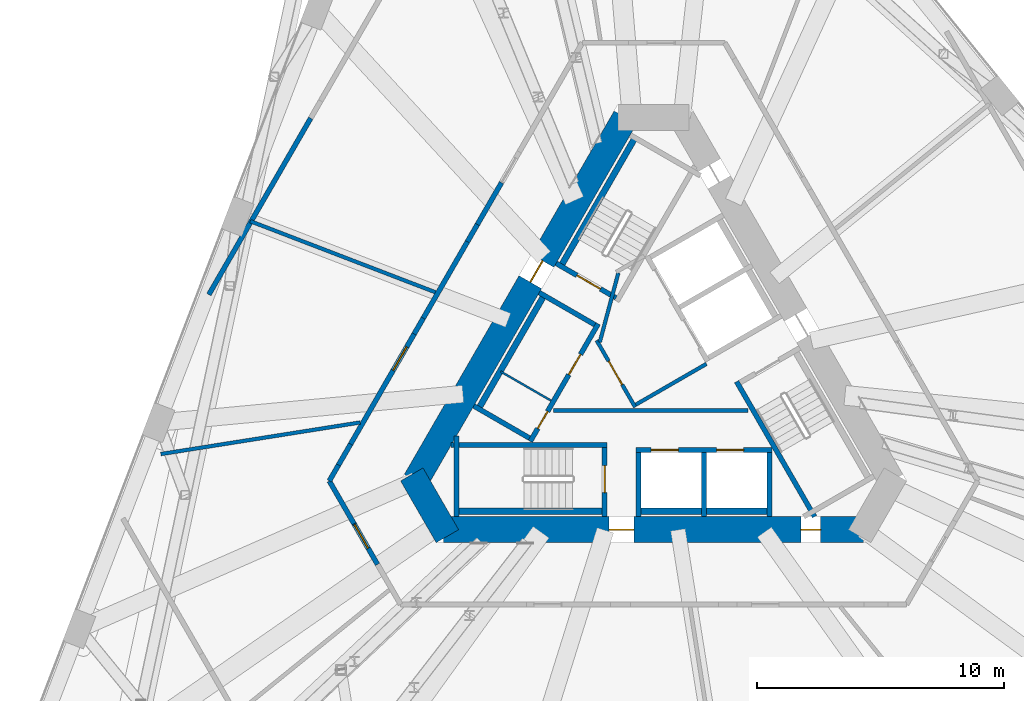
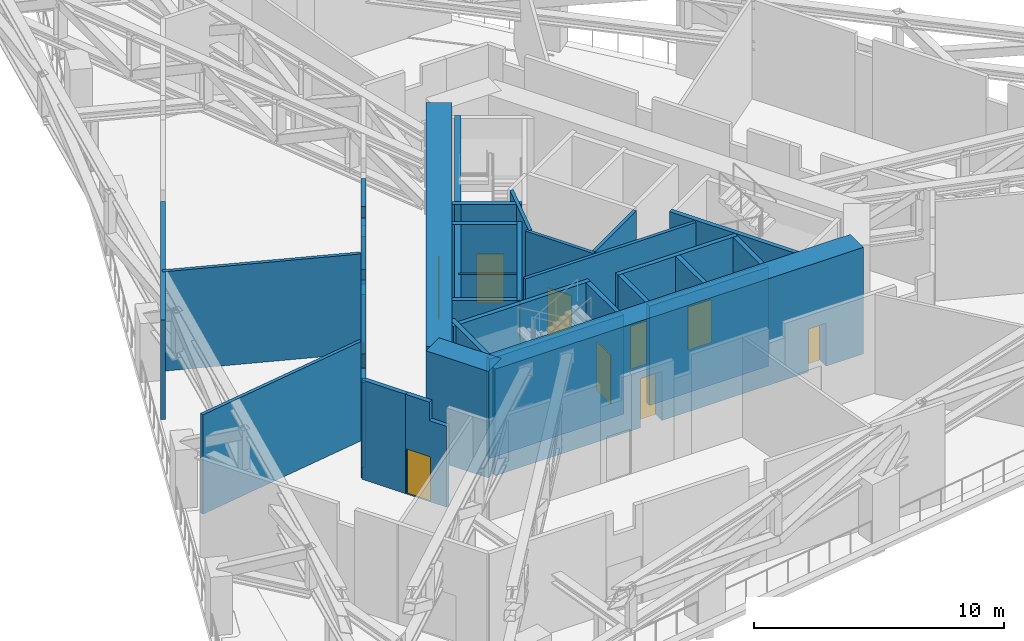
# One storey, part 11 of 20: 36 walls, 12 doors, 12 openings.
"""IFC4 building model written with IfcOpenShell, lengths in metres."""

from ifc_helpers import new_model, si_unit, direction, frame, frame_2d, origin, place, context, subcontext, project, spatial, polyline, rectangle, outline, extrude, material, layer, layer_set, type_object, element, fill, save


model = new_model("IFC4")

# Units and contexts
model_context = context("Model", 3, precision=1e-05, world=origin(), true_north=direction((0.0, 1.0)))
body_context = subcontext(model_context, "Body", "Model", "MODEL_VIEW")
ifc_project = project(units=[si_unit("LENGTHUNIT", "METRE"), si_unit("AREAUNIT", "SQUARE_METRE"), si_unit("VOLUMEUNIT", "CUBIC_METRE"), si_unit("PLANEANGLEUNIT", "RADIAN"), si_unit("MASSUNIT", "GRAM", prefix="KILO")], contexts=[model_context])

# Site, building, storey
site_placement = place(None, origin())
site = spatial("IfcSite", under=ifc_project, at=site_placement, CompositionType="ELEMENT")
building_placement = place(site_placement, origin())
building = spatial("IfcBuilding", under=site, at=building_placement, Name="Tramontana Tower", CompositionType="ELEMENT")
storey_placement = place(building_placement, frame((0.0, 0.0, 83.199951171875)))
storey = spatial("IfcBuildingStorey", under=building, at=storey_placement, Name="L18", CompositionType="ELEMENT", Elevation=83.199951171875)

# Wall, opening, door
ifc_material_1 = material(Name="Concrete 70 MPa", Category="concrete")
ifc_layer_1 = layer(ifc_material_1, 1.050048828125)
ifc_layer_set_1 = layer_set([ifc_layer_1], Name="Core wall 1050 70 MPa")
wall_type_1 = type_object("IfcWallType", Name="Core wall 1050 70 MPa", PredefinedType="SHEAR", material=ifc_layer_set_1)
wall_1_placement = place(storey_placement, frame((-1.140380859375, 10.47509765625, 0.0), z_axis=(0.0, 0.0, 1.0), x_axis=(-0.499985955615, -0.866033512162, 0.0)))
wall_1 = element("IfcWall", 1, at=wall_1_placement, inside=storey, type_object=wall_type_1, Name="Core wall C1 L18", PredefinedType="SHEAR", context=body_context, shape_type="SweptSolid", body=[
    extrude(rectangle(XDim=17.0029296875, YDim=1.050048828125, at=frame_2d((8.50146484375, 0.0))), origin(), (0.0, 0.0, 1.0), 5.199951171875),
])
opening_1_placement = place(wall_1_placement, frame((6.70654296875, 0.0, 0.0)))
opening_1 = element("IfcOpeningElement", 2, at=opening_1_placement, cuts=wall_1, Name="Opening RG1", PredefinedType="OPENING", context=body_context, shape_type="SweptSolid", body=[
    extrude(rectangle(XDim=1.0, YDim=2.39990234375, at=frame_2d((0.5, 1.199951171875))), frame((0.0, 0.534912109375, 0.0), z_axis=(0.0, -1.0, 0.0), x_axis=(1.0, 0.0, 0.0)), (0.0, 0.0, 1.0), 1.070068359375),
])
ifc_material_2 = material(Name="Painted steel", Category="steel")
door_type_1 = type_object("IfcDoorType", Name="RING DOOR 1000", OperationType="SINGLE_SWING_LEFT", PredefinedType="DOOR", material=ifc_material_2)
door_1_placement = place(opening_1_placement, origin())
door_1 = element("IfcDoor", 3, at=door_1_placement, inside=storey, type_object=door_type_1, Name="Door RG1", OperationType="SINGLE_SWING_RIGHT", OverallHeight=2.39990234375, OverallWidth=1.0, PredefinedType="DOOR", context=body_context, shape_type="SweptSolid", body=[
    extrude(rectangle(XDim=1.0, YDim=2.39990234375, at=frame_2d((0.5, 1.199951171875))), frame((0.0, 0.02490234375, 0.0), z_axis=(0.0, -1.0, 0.0), x_axis=(1.0, 0.0, 0.0)), (0.0, 0.0, 1.0), 0.050048828125),
])
fill(opening_1, door_1)

# Wall
wall_2_placement = place(storey_placement, frame((-9.793212890625, -3.987548828125, 0.0), z_axis=(0.0, 0.0, 1.0), x_axis=(0.499995765644, -0.866027848477, 0.0)))
element("IfcWall", 4, at=wall_2_placement, inside=storey, type_object=wall_type_1, Name="Core wall C2 L18", PredefinedType="SHEAR", context=body_context, shape_type="SweptSolid", body=[
    extrude(rectangle(XDim=2.88671875, YDim=1.050048828125, at=frame_2d((1.443359375, 0.0))), origin(), (0.0, 0.0, 1.0), 5.199951171875),
])

# Wall, openings, doors
wall_3_placement = place(storey_placement, frame((-8.50146484375, -6.22509765625, 0.0), z_axis=(0.0, 0.0, 1.0), x_axis=(1.0, 0.0, 0.0)))
wall_3 = element("IfcWall", 5, at=wall_3_placement, inside=storey, type_object=wall_type_1, Name="Core wall C3 L18", PredefinedType="SHEAR", context=body_context, shape_type="SweptSolid", body=[
    extrude(rectangle(XDim=17.0029296875, YDim=1.050048828125, at=frame_2d((8.50146484375, 0.0))), origin(), (0.0, 0.0, 1.0), 5.199951171875),
])
opening_2_placement = place(wall_3_placement, frame((6.70654296875, 0.0, 0.0)))
opening_2 = element("IfcOpeningElement", 6, at=opening_2_placement, cuts=wall_3, Name="Opening RG2", PredefinedType="OPENING", context=body_context, shape_type="SweptSolid", body=[
    extrude(rectangle(XDim=1.0, YDim=2.39990234375, at=frame_2d((0.5, 1.199951171875))), frame((0.0, 0.534912109375, 0.0), z_axis=(0.0, -1.0, 0.0), x_axis=(1.0, 0.0, 0.0)), (0.0, 0.0, 1.0), 1.070068359375),
])
opening_3_placement = place(wall_3_placement, frame((14.472412109375, 0.0, 0.0)))
opening_3 = element("IfcOpeningElement", 7, at=opening_3_placement, cuts=wall_3, Name="Opening PD2", PredefinedType="OPENING", context=body_context, shape_type="SweptSolid", body=[
    extrude(rectangle(XDim=0.800048828125, YDim=2.10009765625, at=frame_2d((0.39990234375, 1.050048828125))), frame((0.0, 0.534912109375, 0.0), z_axis=(0.0, -1.0, 0.0), x_axis=(1.0, 0.0, 0.0)), (0.0, 0.0, 1.0), 1.070068359375),
])
ifc_material_3 = material(Name="Painted steel", Category="steel")
door_type_2 = type_object("IfcDoorType", Name="CUPBOARD DOOR 800", OperationType="SINGLE_SWING_LEFT", PredefinedType="DOOR", material=ifc_material_3)
door_2_placement = place(opening_3_placement, origin())
door_2 = element("IfcDoor", 8, at=door_2_placement, inside=storey, type_object=door_type_2, Name="Door PD2", OperationType="SINGLE_SWING_LEFT", OverallHeight=2.10009765625, OverallWidth=0.800048828125, PredefinedType="DOOR", context=body_context, shape_type="SweptSolid", body=[
    extrude(rectangle(XDim=0.800048828125, YDim=2.10009765625, at=frame_2d((0.39990234375, 1.050048828125))), frame((0.0, 0.02490234375, 0.0), z_axis=(0.0, -1.0, 0.0), x_axis=(1.0, 0.0, 0.0)), (0.0, 0.0, 1.0), 0.050048828125),
])
fill(opening_3, door_2)
door_3_placement = place(opening_2_placement, origin())
door_3 = element("IfcDoor", 9, at=door_3_placement, inside=storey, type_object=door_type_1, Name="Door RG2", OperationType="SINGLE_SWING_LEFT", OverallHeight=2.39990234375, OverallWidth=1.0, PredefinedType="DOOR", context=body_context, shape_type="SweptSolid", body=[
    extrude(rectangle(XDim=1.0, YDim=2.39990234375, at=frame_2d((0.5, 1.199951171875))), frame((0.0, 0.02490234375, 0.0), z_axis=(0.0, -1.0, 0.0), x_axis=(1.0, 0.0, 0.0)), (0.0, 0.0, 1.0), 0.050048828125),
])
fill(opening_2, door_3)

# Wall
ifc_material_4 = material(Name="Blockwork", Category="masonry")
ifc_layer_2 = layer(ifc_material_4, 0.199951171875)
ifc_layer_set_2 = layer_set([ifc_layer_2], Name="ENCLOSURE WALL 200")
wall_type_2 = type_object("IfcWallType", Name="ENCLOSURE WALL 200", PredefinedType="SOLIDWALL", material=ifc_layer_set_2)
wall_4_placement = place(storey_placement, frame((-18.014892578125, 3.29736328125, 0.0), z_axis=(0.0, 0.0, 1.0), x_axis=(0.500010949126, 0.866019082211, 0.0)))
element("IfcWall", 10, at=wall_4_placement, inside=storey, type_object=wall_type_2, Name="Wall enc4-0", PredefinedType="SOLIDWALL", context=body_context, shape_type="SweptSolid", body=[
    extrude(rectangle(XDim=8.253173828125, YDim=0.199951171875, at=frame_2d((4.12646484375, 0.0))), origin(), (0.0, 0.0, 1.0), 4.85009765625),
])

# Wall, opening, door
ifc_material_5 = material(Name="Blockwork", Category="masonry")
ifc_layer_3 = layer(ifc_material_5, 0.199951171875)
ifc_layer_set_3 = layer_set([ifc_layer_3], Name="ENTRY WALL 200")
wall_type_3 = type_object("IfcWallType", Name="ENTRY WALL 200", PredefinedType="SOLIDWALL", material=ifc_layer_set_3)
wall_5_placement = place(storey_placement, frame((-11.181884765625, -7.63232421875, 0.0), z_axis=(0.0, 0.0, 1.0), x_axis=(-0.499999897272, 0.866025463095, 0.0)))
wall_5 = element("IfcWall", 11, at=wall_5_placement, inside=storey, type_object=wall_type_3, Name="Wall ew3-1", PredefinedType="SOLIDWALL", context=body_context, shape_type="SweptSolid", body=[
    extrude(outline(polyline([(0.0, 0.0), (1.904296875, 0.0), (1.904541015625, 4.85009765625), (0.80078125, 4.85009765625), (0.80078125, 3.949951171875), (0.0, 3.949951171875), (0.0, 0.0)])), frame((0.0, 0.10009765625, 0.0), z_axis=(0.0, -1.0, 0.0), x_axis=(1.0, 0.0, 0.0)), (0.0, 0.0, 1.0), 0.199951171875),
])
opening_4_placement = place(wall_5_placement, frame((0.75439453125, 0.0, 0.0)))
opening_4 = element("IfcOpeningElement", 12, at=opening_4_placement, cuts=wall_5, Name="Opening L18-03", PredefinedType="OPENING", context=body_context, shape_type="SweptSolid", body=[
    extrude(rectangle(XDim=1.10009765625, YDim=2.199951171875, at=frame_2d((0.550048828125, 1.10009765625))), frame((0.0, 0.10986328125, 0.0), z_axis=(0.0, -1.0, 0.0), x_axis=(1.0, 0.0, 0.0)), (0.0, 0.0, 1.0), 0.219970703125),
])
ifc_material_6 = material(Name="Painted steel", Category="steel")
door_type_3 = type_object("IfcDoorType", Name="PLANT DOOR 1100", OperationType="SINGLE_SWING_LEFT", PredefinedType="DOOR", material=ifc_material_6)
door_4_placement = place(opening_4_placement, origin())
door_4 = element("IfcDoor", 13, at=door_4_placement, inside=storey, type_object=door_type_3, Name="Door L18-03", OperationType="SINGLE_SWING_LEFT", OverallHeight=2.199951171875, OverallWidth=1.10009765625, PredefinedType="DOOR", context=body_context, shape_type="SweptSolid", body=[
    extrude(rectangle(XDim=1.10009765625, YDim=2.199951171875, at=frame_2d((0.550048828125, 1.10009765625))), frame((0.0, 0.02490234375, 0.0), z_axis=(0.0, -1.0, 0.0), x_axis=(1.0, 0.0, 0.0)), (0.0, 0.0, 1.0), 0.050048828125),
])
fill(opening_4, door_4)

# Walls
wall_6_placement = place(storey_placement, frame((-12.134033203125, -5.983154296875, 0.0), z_axis=(0.0, 0.0, 1.0), x_axis=(-0.500035721725, 0.866004778855, 0.0)))
element("IfcWall", 14, at=wall_6_placement, inside=storey, type_object=wall_type_3, Name="Wall ew3-2", PredefinedType="SOLIDWALL", context=body_context, shape_type="SweptSolid", body=[
    extrude(rectangle(XDim=2.001220703125, YDim=0.199951171875, at=frame_2d((1.00048828125, 0.0))), origin(), (0.0, 0.0, 1.0), 4.85009765625),
])
wall_7_placement = place(storey_placement, frame((-13.134765625, -4.25, 0.0), z_axis=(0.0, 0.0, 1.0), x_axis=(0.499987686533, 0.866032512851, 0.0)))
element("IfcWall", 15, at=wall_7_placement, inside=storey, type_object=wall_type_3, Name="Wall ew4-0", PredefinedType="SOLIDWALL", context=body_context, shape_type="SweptSolid", body=[
    extrude(rectangle(XDim=0.74365234375, YDim=0.199951171875, at=frame_2d((0.371826171875, 0.0))), origin(), (0.0, 0.0, 1.0), 4.85009765625),
])
wall_8_placement = place(storey_placement, frame((-12.762939453125, -3.60595703125, 0.0), z_axis=(0.0, 0.0, 1.0), x_axis=(0.500061185694, 0.865990075325, 0.0)))
element("IfcWall", 16, at=wall_8_placement, inside=storey, type_object=wall_type_3, Name="Wall ew4-1", PredefinedType="SOLIDWALL", context=body_context, shape_type="SweptSolid", body=[
    extrude(rectangle(XDim=0.9775390625, YDim=0.199951171875, at=frame_2d((0.48876953125, 0.0))), origin(), (0.0, 0.0, 1.0), 4.150146484375),
])

# Wall, opening, door
wall_9_placement = place(storey_placement, frame((-12.274169921875, -2.759521484375, 0.0), z_axis=(0.0, 0.0, 1.0), x_axis=(0.500001317485, 0.866024643133, 0.0)))
wall_9 = element("IfcWall", 17, at=wall_9_placement, inside=storey, type_object=wall_type_3, Name="Wall ew4-2", PredefinedType="SOLIDWALL", context=body_context, shape_type="SweptSolid", body=[
    extrude(rectangle(XDim=5.1533203125, YDim=0.199951171875, at=frame_2d((2.57666015625, 0.0))), origin(), (0.0, 0.0, 1.0), 4.85009765625),
])
opening_5_placement = place(wall_9_placement, frame((3.45068359375, 0.0, 0.0)))
opening_5 = element("IfcOpeningElement", 18, at=opening_5_placement, cuts=wall_9, Name="Opening L18-02", PredefinedType="OPENING", context=body_context, shape_type="SweptSolid", body=[
    extrude(rectangle(XDim=1.10009765625, YDim=2.199951171875, at=frame_2d((0.550048828125, 1.10009765625))), frame((0.0, 0.10986328125, 0.0), z_axis=(0.0, -1.0, 0.0), x_axis=(1.0, 0.0, 0.0)), (0.0, 0.0, 1.0), 0.219970703125),
])
door_5_placement = place(opening_5_placement, origin())
door_5 = element("IfcDoor", 19, at=door_5_placement, inside=storey, type_object=door_type_3, Name="Door L18-02", OperationType="SINGLE_SWING_RIGHT", OverallHeight=2.199951171875, OverallWidth=1.10009765625, PredefinedType="DOOR", context=body_context, shape_type="SweptSolid", body=[
    extrude(rectangle(XDim=1.10009765625, YDim=2.199951171875, at=frame_2d((0.550048828125, 1.10009765625))), frame((0.0, 0.02490234375, 0.0), z_axis=(0.0, -1.0, 0.0), x_axis=(1.0, 0.0, 0.0)), (0.0, 0.0, 1.0), 0.050048828125),
])
fill(opening_5, door_5)

# Walls
wall_10_placement = place(storey_placement, frame((-9.697509765625, 1.703369140625, 0.0), z_axis=(0.0, 0.0, 1.0), x_axis=(0.499885169746, 0.866091690913, 0.0)))
element("IfcWall", 20, at=wall_10_placement, inside=storey, type_object=wall_type_3, Name="Wall ew4-3", PredefinedType="SOLIDWALL", context=body_context, shape_type="SweptSolid", body=[
    extrude(rectangle(XDim=0.736083984375, YDim=0.199951171875, at=frame_2d((0.3681640625, 0.0))), origin(), (0.0, 0.0, 1.0), 4.150146484375),
])
wall_11_placement = place(storey_placement, frame((-9.32958984375, 2.3408203125, 0.0), z_axis=(0.0, 0.0, 1.0), x_axis=(0.500029679218, 0.866008267802, 0.0)))
element("IfcWall", 21, at=wall_11_placement, inside=storey, type_object=wall_type_3, Name="Wall ew4-4", PredefinedType="SOLIDWALL", context=body_context, shape_type="SweptSolid", body=[
    extrude(rectangle(XDim=3.576904296875, YDim=0.199951171875, at=frame_2d((1.78857421875, 0.0))), origin(), (0.0, 0.0, 1.0), 4.85009765625),
])
wall_12_placement = place(storey_placement, frame((-7.541015625, 5.4384765625, 0.0), z_axis=(0.0, 0.0, 1.0), x_axis=(0.499809598504, 0.866135304236, 0.0)))
element("IfcWall", 22, at=wall_12_placement, inside=storey, type_object=wall_type_3, Name="Wall ew4-5", PredefinedType="SOLIDWALL", context=body_context, shape_type="SweptSolid", body=[
    extrude(rectangle(XDim=0.808349609375, YDim=0.199951171875, at=frame_2d((0.404296875, 0.0))), origin(), (0.0, 0.0, 1.0), 3.949951171875),
])
wall_13_placement = place(storey_placement, frame((-7.136962890625, 6.138671875, 0.0), z_axis=(0.0, 0.0, 1.0), x_axis=(0.500061185694, 0.865990075325, 0.0)))
element("IfcWall", 23, at=wall_13_placement, inside=storey, type_object=wall_type_3, Name="Wall ew4-6", PredefinedType="SOLIDWALL", context=body_context, shape_type="SweptSolid", body=[
    extrude(rectangle(XDim=1.954833984375, YDim=0.199951171875, at=frame_2d((0.9775390625, 0.0))), origin(), (0.0, 0.0, 1.0), 4.85009765625),
])

# Wall, opening, door
ifc_material_7 = material(Name="Gypsum board partition")
ifc_layer_4 = layer(ifc_material_7, 0.14990234375)
ifc_layer_set_4 = layer_set([ifc_layer_4], Name="PARTITION 150")
wall_type_4 = type_object("IfcWallType", Name="PARTITION 150", PredefinedType="PARTITIONING", material=ifc_layer_set_4)
wall_14_placement = place(storey_placement, frame((-0.744140625, -1.260986328125, 0.0), z_axis=(0.0, 0.0, 1.0), x_axis=(-0.500004234368, 0.866022959057, 0.0)))
wall_14 = element("IfcWall", 24, at=wall_14_placement, inside=storey, type_object=wall_type_4, Name="Wall ff-front", PredefinedType="PARTITIONING", context=body_context, shape_type="SweptSolid", body=[
    extrude(rectangle(XDim=3.125, YDim=0.14990234375, at=frame_2d((1.5625, 0.0))), origin(), (0.0, 0.0, 1.0), 4.85009765625),
])
opening_6_placement = place(wall_14_placement, frame((1.050048828125, 0.0, 0.0)))
opening_6 = element("IfcOpeningElement", 25, at=opening_6_placement, cuts=wall_14, Name="Opening FD1", PredefinedType="OPENING", context=body_context, shape_type="SweptSolid", body=[
    extrude(rectangle(XDim=1.10009765625, YDim=2.39990234375, at=frame_2d((0.550048828125, 1.199951171875))), frame((0.0, 0.0849609375, 0.0), z_axis=(0.0, -1.0, 0.0), x_axis=(1.0, 0.0, 0.0)), (0.0, 0.0, 1.0), 0.169921875),
])
ifc_material_8 = material(Name="Painted timber", Category="wood")
door_type_4 = type_object("IfcDoorType", Name="DOOR ENTRY 1100", OperationType="SINGLE_SWING_LEFT", PredefinedType="DOOR", material=ifc_material_8)
door_6_placement = place(opening_6_placement, origin())
door_6 = element("IfcDoor", 26, at=door_6_placement, inside=storey, type_object=door_type_4, Name="Door FD1", OperationType="SINGLE_SWING_LEFT", OverallHeight=2.39990234375, OverallWidth=1.10009765625, PredefinedType="DOOR", context=body_context, shape_type="SweptSolid", body=[
    extrude(rectangle(XDim=1.10009765625, YDim=2.39990234375, at=frame_2d((0.550048828125, 1.199951171875))), frame((0.0, 0.02490234375, 0.0), z_axis=(0.0, -1.0, 0.0), x_axis=(1.0, 0.0, 0.0)), (0.0, 0.0, 1.0), 0.050048828125),
])
fill(opening_6, door_6)

# Walls
wall_15_placement = place(storey_placement, frame((-0.716796875, -1.15869140625, 0.0), z_axis=(0.0, 0.0, 1.0), x_axis=(0.866008176907, 0.50002983664, 0.0)))
element("IfcWall", 27, at=wall_15_placement, inside=storey, type_object=wall_type_4, Name="Wall ff-end0", PredefinedType="PARTITIONING", context=body_context, shape_type="SweptSolid", body=[
    extrude(rectangle(XDim=3.300048828125, YDim=0.14990234375, at=frame_2d((1.64990234375, 0.0))), origin(), (0.0, 0.0, 1.0), 4.85009765625),
])
wall_16_placement = place(storey_placement, frame((-2.177978515625, 1.372314453125, 0.0), z_axis=(0.0, 0.0, 1.0), x_axis=(0.258808958833, 0.96592852884, 0.0)))
element("IfcWall", 28, at=wall_16_placement, inside=storey, type_object=wall_type_4, Name="Wall ff-diag", PredefinedType="PARTITIONING", context=body_context, shape_type="SweptSolid", body=[
    extrude(rectangle(XDim=2.902587890625, YDim=0.14990234375, at=frame_2d((1.451171875, 0.0))), origin(), (0.0, 0.0, 1.0), 4.85009765625),
])
wall_17_placement = place(storey_placement, frame((-4.053466796875, -1.39990234375, 0.0), z_axis=(0.0, 0.0, 1.0), x_axis=(1.0, 0.0, 0.0)))
element("IfcWall", 29, at=wall_17_placement, inside=storey, type_object=wall_type_4, Name="Wall hub-cut1", PredefinedType="PARTITIONING", context=body_context, shape_type="SweptSolid", body=[
    extrude(rectangle(XDim=7.8759765625, YDim=0.14990234375, at=frame_2d((3.93798828125, 0.0))), origin(), (0.0, 0.0, 1.0), 4.85009765625),
])
wall_18_placement = place(storey_placement, frame((-11.883056640625, -1.882080078125, 0.0), z_axis=(0.0, 0.0, 1.0), x_axis=(-0.987687796789, -0.15643789846, 0.0)))
element("IfcWall", 30, at=wall_18_placement, inside=storey, type_object=wall_type_4, Name="Wall fw-pw00", PredefinedType="PARTITIONING", context=body_context, shape_type="SweptSolid", body=[
    extrude(rectangle(XDim=8.176025390625, YDim=0.14990234375, at=frame_2d((4.087890625, 0.0))), origin(), (0.0, 0.0, 1.0), 4.85009765625),
])
wall_19_placement = place(storey_placement, frame((-8.837890625, 3.392578125, 0.0), z_axis=(0.0, 0.0, 1.0), x_axis=(-0.933579605878, 0.358370087324, 0.0)))
element("IfcWall", 31, at=wall_19_placement, inside=storey, type_object=wall_type_4, Name="Wall fw-pw02", PredefinedType="PARTITIONING", context=body_context, shape_type="SweptSolid", body=[
    extrude(rectangle(XDim=8.033447265625, YDim=0.14990234375, at=frame_2d((4.0166015625, 0.0))), origin(), (0.0, 0.0, 1.0), 4.85009765625),
])
ifc_material_9 = material(Name="Gypsum board partition")
ifc_layer_5 = layer(ifc_material_9, 0.080078125)
ifc_layer_set_5 = layer_set([ifc_layer_5], Name="PARTITION 80")
wall_type_5 = type_object("IfcWallType", Name="PARTITION 80", PredefinedType="PARTITIONING", material=ifc_layer_set_5)
wall_20_placement = place(storey_placement, frame((-4.15478515625, -0.99609375, 0.0), z_axis=(0.0, 0.0, 1.0), x_axis=(-0.866016039709, 0.500016218704, 0.0)))
element("IfcWall", 32, at=wall_20_placement, inside=storey, type_object=wall_type_5, Name="Wall row0-split", PredefinedType="PARTITIONING", context=body_context, shape_type="SweptSolid", body=[
    extrude(rectangle(XDim=2.35009765625, YDim=0.080078125, at=frame_2d((1.175048828125, 0.0))), origin(), (0.0, 0.0, 1.0), 4.85009765625),
])
ifc_material_10 = material(Name="Concrete 70 MPa", Category="concrete")
ifc_layer_6 = layer(ifc_material_10, 0.25)
ifc_layer_set_6 = layer_set([ifc_layer_6], Name="Concrete 70 MPa, 250 mm")
wall_type_6 = type_object("IfcWallType", Name="RC SHAFT BACK WALL 250", PredefinedType="SOLIDWALL", material=ifc_layer_set_6)
wall_21_placement = place(storey_placement, frame((-0.701416015625, 9.73486328125, 0.0), z_axis=(0.0, 0.0, 1.0), x_axis=(-0.500026960575, -0.86600983753, 0.0)))
element("IfcWall", 33, at=wall_21_placement, inside=storey, type_object=wall_type_6, Name="Wall st1-back", PredefinedType="SOLIDWALL", context=body_context, shape_type="SweptSolid", body=[
    extrude(rectangle(XDim=6.199951171875, YDim=0.25, at=frame_2d((3.10009765625, 0.0))), origin(), (0.0, 0.0, 1.0), 4.85009765625),
])
wall_22_placement = place(storey_placement, frame((-8.080078125, -5.47509765625, 0.0), z_axis=(0.0, 0.0, 1.0), x_axis=(1.0, 0.0, 0.0)))
element("IfcWall", 34, at=wall_22_placement, inside=storey, type_object=wall_type_6, Name="Wall st2-back", PredefinedType="SOLIDWALL", context=body_context, shape_type="SweptSolid", body=[
    extrude(rectangle(XDim=6.2001953125, YDim=0.25, at=frame_2d((3.10009765625, 0.0))), origin(), (0.0, 0.0, 1.0), 4.85009765625),
])
wall_23_placement = place(storey_placement, frame((-4.386474609375, 3.352294921875, 0.0), z_axis=(0.0, 0.0, 1.0), x_axis=(-0.500015767406, -0.866016300277, 0.0)))
element("IfcWall", 35, at=wall_23_placement, inside=storey, type_object=wall_type_6, Name="Wall row0-back", PredefinedType="SOLIDWALL", context=body_context, shape_type="SweptSolid", body=[
    extrude(rectangle(XDim=5.499755859375, YDim=0.25, at=frame_2d((2.75, 0.0))), origin(), (0.0, 0.0, 1.0), 4.85009765625),
])
wall_24_placement = place(storey_placement, frame((-0.7099609375, -5.47509765625, 0.0), z_axis=(0.0, 0.0, 1.0), x_axis=(1.0, 0.0, 0.0)))
element("IfcWall", 36, at=wall_24_placement, inside=storey, type_object=wall_type_6, Name="Wall row1-back", PredefinedType="SOLIDWALL", context=body_context, shape_type="SweptSolid", body=[
    extrude(rectangle(XDim=5.5, YDim=0.25, at=frame_2d((2.75, 0.0))), origin(), (0.0, 0.0, 1.0), 4.85009765625),
])

# Wall, opening, door
ifc_material_11 = material(Name="Concrete 70 MPa", Category="concrete")
ifc_layer_7 = layer(ifc_material_11, 0.199951171875)
ifc_layer_set_7 = layer_set([ifc_layer_7], Name="Concrete 70 MPa, 200 mm")
wall_type_7 = type_object("IfcWallType", Name="RC STAIR AND SHAFT WALL 200", PredefinedType="SOLIDWALL", material=ifc_layer_set_7)
wall_25_placement = place(storey_placement, frame((-1.521484375, 3.164794921875, 0.0), z_axis=(0.0, 0.0, 1.0), x_axis=(-0.866034573852, 0.49998411664, 0.0)))
wall_25 = element("IfcWall", 37, at=wall_25_placement, inside=storey, type_object=wall_type_7, Name="Wall st1-near", PredefinedType="SOLIDWALL", context=body_context, shape_type="SweptSolid", body=[
    extrude(rectangle(XDim=2.7998046875, YDim=0.199951171875, at=frame_2d((1.39990234375, 0.0))), origin(), (0.0, 0.0, 1.0), 4.85009765625),
])
opening_7_placement = place(wall_25_placement, frame((0.72509765625, 0.0, 0.0)))
opening_7 = element("IfcOpeningElement", 38, at=opening_7_placement, cuts=wall_25, Name="Opening SD1", PredefinedType="OPENING", context=body_context, shape_type="SweptSolid", body=[
    extrude(rectangle(XDim=1.10009765625, YDim=2.39990234375, at=frame_2d((0.550048828125, 1.199951171875))), frame((0.0, 0.10986328125, 0.0), z_axis=(0.0, -1.0, 0.0), x_axis=(1.0, 0.0, 0.0)), (0.0, 0.0, 1.0), 0.219970703125),
])
ifc_material_12 = material(Name="Painted steel", Category="steel")
door_type_5 = type_object("IfcDoorType", Name="STAIR DOOR 1100", OperationType="SINGLE_SWING_LEFT", PredefinedType="DOOR", material=ifc_material_12)
door_7_placement = place(opening_7_placement, origin())
door_7 = element("IfcDoor", 39, at=door_7_placement, inside=storey, type_object=door_type_5, Name="Door SD1", OperationType="SINGLE_SWING_RIGHT", OverallHeight=2.39990234375, OverallWidth=1.10009765625, PredefinedType="DOOR", context=body_context, shape_type="SweptSolid", body=[
    extrude(rectangle(XDim=1.10009765625, YDim=2.39990234375, at=frame_2d((0.550048828125, 1.199951171875))), frame((0.0, 0.02490234375, 0.0), z_axis=(0.0, -1.0, 0.0), x_axis=(1.0, 0.0, 0.0)), (0.0, 0.0, 1.0), 0.050048828125),
])
fill(opening_7, door_7)

# Walls
wall_26_placement = place(storey_placement, frame((-8.198486328125, -2.800048828125, 0.0), z_axis=(0.0, 0.0, 1.0), x_axis=(1.0, 0.0, 0.0)))
element("IfcWall", 40, at=wall_26_placement, inside=storey, type_object=wall_type_7, Name="Wall st2-front", PredefinedType="SOLIDWALL", context=body_context, shape_type="SweptSolid", body=[
    extrude(rectangle(XDim=6.318603515625, YDim=0.199951171875, at=frame_2d((3.1591796875, 0.0))), origin(), (0.0, 0.0, 1.0), 4.85009765625),
])
wall_27_placement = place(storey_placement, frame((-7.97998046875, -2.421875, 0.0), z_axis=(0.0, 0.0, 1.0), x_axis=(0.0, -1.0, 0.0)))
element("IfcWall", 41, at=wall_27_placement, inside=storey, type_object=wall_type_7, Name="Wall st2-far", PredefinedType="SOLIDWALL", context=body_context, shape_type="SweptSolid", body=[
    extrude(rectangle(XDim=3.278076171875, YDim=0.199951171875, at=frame_2d((1.63916015625, 0.0))), origin(), (0.0, 0.0, 1.0), 4.85009765625),
])

# Wall, opening, door
wall_28_placement = place(storey_placement, frame((-1.97998046875, -2.89990234375, 0.0), z_axis=(0.0, 0.0, 1.0), x_axis=(0.0, -1.0, 0.0)))
wall_28 = element("IfcWall", 42, at=wall_28_placement, inside=storey, type_object=wall_type_7, Name="Wall st2-near", PredefinedType="SOLIDWALL", context=body_context, shape_type="SweptSolid", body=[
    extrude(rectangle(XDim=2.800048828125, YDim=0.199951171875, at=frame_2d((1.39990234375, 0.0))), origin(), (0.0, 0.0, 1.0), 4.85009765625),
])
opening_8_placement = place(wall_28_placement, frame((0.72509765625, 0.0, 0.0)))
opening_8 = element("IfcOpeningElement", 43, at=opening_8_placement, cuts=wall_28, Name="Opening SD2", PredefinedType="OPENING", context=body_context, shape_type="SweptSolid", body=[
    extrude(rectangle(XDim=1.10009765625, YDim=2.39990234375, at=frame_2d((0.550048828125, 1.199951171875))), frame((0.0, 0.10986328125, 0.0), z_axis=(0.0, -1.0, 0.0), x_axis=(1.0, 0.0, 0.0)), (0.0, 0.0, 1.0), 0.219970703125),
])
door_8_placement = place(opening_8_placement, origin())
door_8 = element("IfcDoor", 44, at=door_8_placement, inside=storey, type_object=door_type_5, Name="Door SD2", OperationType="SINGLE_SWING_LEFT", OverallHeight=2.39990234375, OverallWidth=1.10009765625, PredefinedType="DOOR", context=body_context, shape_type="SweptSolid", body=[
    extrude(rectangle(XDim=1.10009765625, YDim=2.39990234375, at=frame_2d((0.550048828125, 1.199951171875))), frame((0.0, 0.02490234375, 0.0), z_axis=(0.0, -1.0, 0.0), x_axis=(1.0, 0.0, 0.0)), (0.0, 0.0, 1.0), 0.050048828125),
])
fill(opening_8, door_8)

# Wall
wall_29_placement = place(storey_placement, frame((6.524169921875, -5.699951171875, 0.0), z_axis=(0.0, 0.0, 1.0), x_axis=(-0.499995607161, 0.866027939976, 0.0)))
element("IfcWall", 45, at=wall_29_placement, inside=storey, type_object=wall_type_7, Name="Wall st3-front", PredefinedType="SOLIDWALL", context=body_context, shape_type="SweptSolid", body=[
    extrude(rectangle(XDim=6.318359375, YDim=0.199951171875, at=frame_2d((3.1591796875, 0.0))), origin(), (0.0, 0.0, 1.0), 4.85009765625),
])

# Wall, openings, doors
wall_30_placement = place(storey_placement, frame((-4.9931640625, -2.648193359375, 0.0), z_axis=(0.0, 0.0, 1.0), x_axis=(0.499996545922, 0.866027397988, 0.0)))
wall_30 = element("IfcWall", 46, at=wall_30_placement, inside=storey, type_object=wall_type_7, Name="Wall row0-front", PredefinedType="SOLIDWALL", context=body_context, shape_type="SweptSolid", body=[
    extrude(rectangle(XDim=5.5, YDim=0.199951171875, at=frame_2d((2.75, 0.0))), origin(), (0.0, 0.0, 1.0), 4.85009765625),
])
opening_9_placement = place(wall_30_placement, frame((3.1201171875, 0.0, 0.0)))
opening_9 = element("IfcOpeningElement", 47, at=opening_9_placement, cuts=wall_30, Name="Opening RD-0A", PredefinedType="OPENING", context=body_context, shape_type="SweptSolid", body=[
    extrude(rectangle(XDim=0.949951171875, YDim=2.39990234375, at=frame_2d((0.47509765625, 1.199951171875))), frame((0.0, 0.10986328125, 0.0), z_axis=(0.0, -1.0, 0.0), x_axis=(1.0, 0.0, 0.0)), (0.0, 0.0, 1.0), 0.219970703125),
])
opening_10_placement = place(wall_30_placement, frame((0.60498046875, 0.0, 0.0)))
opening_10 = element("IfcOpeningElement", 48, at=opening_10_placement, cuts=wall_30, Name="Opening RD-0B", PredefinedType="OPENING", context=body_context, shape_type="SweptSolid", body=[
    extrude(rectangle(XDim=0.800048828125, YDim=2.10009765625, at=frame_2d((0.39990234375, 1.050048828125))), frame((0.0, 0.10986328125, 0.0), z_axis=(0.0, -1.0, 0.0), x_axis=(1.0, 0.0, 0.0)), (0.0, 0.0, 1.0), 0.219970703125),
])
door_9_placement = place(opening_10_placement, origin())
door_9 = element("IfcDoor", 49, at=door_9_placement, inside=storey, type_object=door_type_2, Name="Door RD-0B", OperationType="SINGLE_SWING_RIGHT", OverallHeight=2.10009765625, OverallWidth=0.800048828125, PredefinedType="DOOR", context=body_context, shape_type="SweptSolid", body=[
    extrude(rectangle(XDim=0.800048828125, YDim=2.10009765625, at=frame_2d((0.39990234375, 1.050048828125))), frame((0.0, 0.02490234375, 0.0), z_axis=(0.0, -1.0, 0.0), x_axis=(1.0, 0.0, 0.0)), (0.0, 0.0, 1.0), 0.050048828125),
])
fill(opening_10, door_9)
ifc_material_13 = material(Name="Painted timber", Category="wood")
door_type_6 = type_object("IfcDoorType", Name="DOOR ROOM 950", OperationType="SINGLE_SWING_LEFT", PredefinedType="DOOR", material=ifc_material_13)
door_10_placement = place(opening_9_placement, origin())
door_10 = element("IfcDoor", 50, at=door_10_placement, inside=storey, type_object=door_type_6, Name="Door RD-0A", OperationType="SINGLE_SWING_LEFT", OverallHeight=2.39990234375, OverallWidth=0.949951171875, PredefinedType="DOOR", context=body_context, shape_type="SweptSolid", body=[
    extrude(rectangle(XDim=0.949951171875, YDim=2.39990234375, at=frame_2d((0.47509765625, 1.199951171875))), frame((0.0, 0.02490234375, 0.0), z_axis=(0.0, -1.0, 0.0), x_axis=(1.0, 0.0, 0.0)), (0.0, 0.0, 1.0), 0.050048828125),
])
fill(opening_9, door_10)

# Walls
for number, where, z_axis, x_axis, name in (
    (51, (-2.379638671875, 2.078369140625, 0.0), (0.0, 0.0, 1.0), (-0.866062058628, 0.499936506574, 0.0), "Wall row0-side0"),
    (52, (-5.02978515625, -2.51171875, 0.0), (0.0, 0.0, 1.0), (-0.865997922154, 0.500047596559, 0.0), "Wall row0-side2"),
):
    element("IfcWall", number, at=place(storey_placement, frame(where, z_axis=z_axis, x_axis=x_axis)), inside=storey, type_object=wall_type_7, Name=name, PredefinedType="SOLIDWALL", context=body_context, shape_type="SweptSolid", body=[
        extrude(rectangle(XDim=2.599853515625, YDim=0.199951171875, at=frame_2d((1.2998046875, 0.0))), origin(), (0.0, 0.0, 1.0), 4.85009765625),
    ])

# Wall, openings, doors
wall_31_placement = place(storey_placement, frame((-0.7099609375, -3.0, 0.0), z_axis=(0.0, 0.0, 1.0), x_axis=(1.0, 0.0, 0.0)))
wall_31 = element("IfcWall", 53, at=wall_31_placement, inside=storey, type_object=wall_type_7, Name="Wall row1-front", PredefinedType="SOLIDWALL", context=body_context, shape_type="SweptSolid", body=[
    extrude(rectangle(XDim=5.5, YDim=0.199951171875, at=frame_2d((2.75, 0.0))), origin(), (0.0, 0.0, 1.0), 4.85009765625),
])
opening_11_placement = place(wall_31_placement, frame((0.610107421875, 0.0, 0.0)))
opening_11 = element("IfcOpeningElement", 54, at=opening_11_placement, cuts=wall_31, Name="Opening LD-S1", PredefinedType="OPENING", context=body_context, shape_type="SweptSolid", body=[
    extrude(rectangle(XDim=1.10009765625, YDim=2.10009765625, at=frame_2d((0.550048828125, 1.050048828125))), frame((0.0, 0.10986328125, 0.0), z_axis=(0.0, -1.0, 0.0), x_axis=(1.0, 0.0, 0.0)), (0.0, 0.0, 1.0), 0.219970703125),
])
opening_12_placement = place(wall_31_placement, frame((3.260009765625, 0.0, 0.0)))
opening_12 = element("IfcOpeningElement", 55, at=opening_12_placement, cuts=wall_31, Name="Opening LD-S2", PredefinedType="OPENING", context=body_context, shape_type="SweptSolid", body=[
    extrude(rectangle(XDim=1.10009765625, YDim=2.10009765625, at=frame_2d((0.550048828125, 1.050048828125))), frame((0.0, 0.10986328125, 0.0), z_axis=(0.0, -1.0, 0.0), x_axis=(1.0, 0.0, 0.0)), (0.0, 0.0, 1.0), 0.219970703125),
])
ifc_material_14 = material(Name="Brushed steel", Category="steel")
door_type_7 = type_object("IfcDoorType", Name="LANDING DOOR 1100", OperationType="SINGLE_SWING_LEFT", PredefinedType="DOOR", material=ifc_material_14)
door_11_placement = place(opening_11_placement, origin())
door_11 = element("IfcDoor", 56, at=door_11_placement, inside=storey, type_object=door_type_7, Name="Door LD-S1", OperationType="SLIDING_TO_LEFT", OverallHeight=2.10009765625, OverallWidth=1.10009765625, PredefinedType="DOOR", context=body_context, shape_type="SweptSolid", body=[
    extrude(rectangle(XDim=1.10009765625, YDim=2.10009765625, at=frame_2d((0.550048828125, 1.050048828125))), frame((0.0, 0.02490234375, 0.0), z_axis=(0.0, -1.0, 0.0), x_axis=(1.0, 0.0, 0.0)), (0.0, 0.0, 1.0), 0.050048828125),
])
fill(opening_11, door_11)
door_12_placement = place(opening_12_placement, origin())
door_12 = element("IfcDoor", 57, at=door_12_placement, inside=storey, type_object=door_type_7, Name="Door LD-S2", OperationType="SLIDING_TO_RIGHT", OverallHeight=2.10009765625, OverallWidth=1.10009765625, PredefinedType="DOOR", context=body_context, shape_type="SweptSolid", body=[
    extrude(rectangle(XDim=1.10009765625, YDim=2.10009765625, at=frame_2d((0.550048828125, 1.050048828125))), frame((0.0, 0.02490234375, 0.0), z_axis=(0.0, -1.0, 0.0), x_axis=(1.0, 0.0, 0.0)), (0.0, 0.0, 1.0), 0.050048828125),
])
fill(opening_12, door_12)

# Walls
for number, where, z_axis, x_axis, name in (
    (58, (-0.610107421875, -3.10009765625, 0.0), (0.0, 0.0, 1.0), (0.0, -1.0, 0.0), "Wall row1-side0"),
    (59, (2.0400390625, -3.10009765625, 0.0), (0.0, 0.0, 1.0), (0.0, -1.0, 0.0), "Wall row1-side1"),
    (60, (4.68994140625, -3.10009765625, 0.0), (0.0, 0.0, 1.0), (0.0, -1.0, 0.0), "Wall row1-side2"),
):
    element("IfcWall", number, at=place(storey_placement, frame(where, z_axis=z_axis, x_axis=x_axis)), inside=storey, type_object=wall_type_7, Name=name, PredefinedType="SOLIDWALL", context=body_context, shape_type="SweptSolid", body=[
        extrude(rectangle(XDim=2.599853515625, YDim=0.199951171875, at=frame_2d((1.2998046875, 0.0))), origin(), (0.0, 0.0, 1.0), 4.85009765625),
    ])

save(model, "model.ifc")
